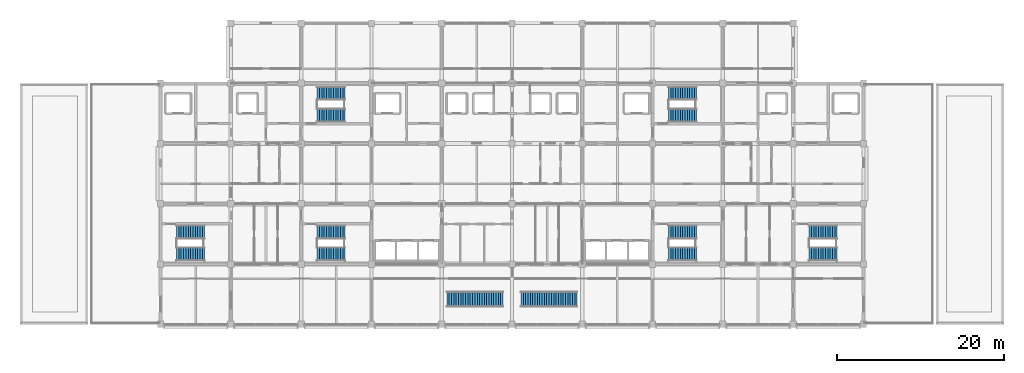
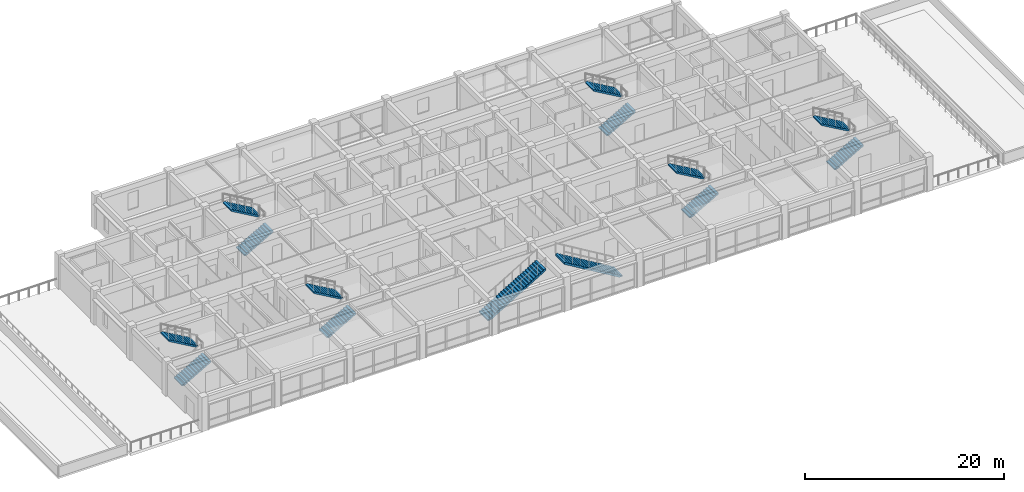
# One storey, part 24 of 27: 14 stair flights, 8 elements without a shape of their own.
"""IFC4 building model written with IfcOpenShell, lengths in metres."""

from ifc_helpers import new_model, si_unit, direction, frame, origin, place, context, subcontext, project, spatial, polyline, outline, extrude, material, type_object, element, aggregate, save


model = new_model("IFC4")

# Units and contexts
model_context = context("Model", 3, precision=1e-05, world=origin(), true_north=direction((0.0, 1.0)))
body_context = subcontext(model_context, "Body", "Model", "MODEL_VIEW")
ifc_project = project(units=[si_unit("LENGTHUNIT", "METRE"), si_unit("AREAUNIT", "SQUARE_METRE"), si_unit("VOLUMEUNIT", "CUBIC_METRE"), si_unit("PLANEANGLEUNIT", "RADIAN"), si_unit("MASSUNIT", "GRAM", prefix="KILO")], contexts=[model_context])

# Site, building, storey
site_placement = place(None, origin())
site = spatial("IfcSite", under=ifc_project, at=site_placement, CompositionType="ELEMENT")
building_placement = place(site_placement, origin())
building = spatial("IfcBuilding", under=site, at=building_placement, Name="Chengyuan Square Courthouse", CompositionType="ELEMENT")
storey_placement = place(building_placement, frame((0.0, 0.0, 35.10009765625)))
storey = spatial("IfcBuildingStorey", under=building, at=storey_placement, Name="L08", CompositionType="ELEMENT", Elevation=35.10009765625)

# Stair, stair flights
ifc_material = material(Name="Concrete C40", Category="concrete")
stair_type_1 = type_object("IfcStairType", Name="ST-TYPE-01", PredefinedType="HALF_TURN_STAIR", material=ifc_material)
stair_1_placement = place(storey_placement, origin())
stair_1 = element("IfcStair", 1, at=stair_1_placement, inside=storey, type_object=stair_type_1, Name="Smoke-Proof Exit Stair ST-1 (L08 to L09)", PredefinedType="HALF_TURN_STAIR")
stair_flight_type_1 = type_object("IfcStairFlightType", Name="STF-TYPE-01", PredefinedType="STRAIGHT", material=ifc_material)
stair_flight_1_placement = place(storey_placement, frame((60.7099609375, 104.175048828125, 0.0), z_axis=(0.0, 0.0, 1.0), x_axis=(1.0, 0.0, 0.0)))
stair_flight_1 = element("IfcStairFlight", 2, at=stair_flight_1_placement, type_object=stair_flight_type_1, Name="ST-1 flight 1", NumberOfRisers=13, NumberOfTreads=12, PredefinedType="STRAIGHT", RiserHeight=0.161538462, TreadLength=0.28, context=body_context, shape_type="SweptSolid", body=[
    extrude(outline(polyline([(0.0, 0.0), (0.0, 0.16162109375), (0.280029296875, 0.16162109375), (0.280029296875, 0.322998046875), (0.56005859375, 0.322998046875), (0.56005859375, 0.484619140625), (0.840087890625, 0.484619140625), (0.840087890625, 0.646240234375), (1.1201171875, 0.646240234375), (1.1201171875, 0.8076171875), (1.39990234375, 0.8076171875), (1.39990234375, 0.96923828125), (1.679931640625, 0.96923828125), (1.679931640625, 1.130859375), (1.9599609375, 1.130859375), (1.9599609375, 1.292236328125), (2.239990234375, 1.292236328125), (2.239990234375, 1.453857421875), (2.52001953125, 1.453857421875), (2.52001953125, 1.615478515625), (2.800048828125, 1.615478515625), (2.800048828125, 1.77685546875), (3.080078125, 1.77685546875), (3.080078125, 1.9384765625), (3.360107421875, 1.9384765625), (3.360107421875, 2.10009765625), (3.360107421875, 1.765380859375), (0.300048828125, 0.0), (0.0, 0.0)])), frame((0.0, 0.824951171875, 0.0), z_axis=(0.0, -1.0, 0.0), x_axis=(1.0, 0.0, 0.0)), (0.0, 0.0, 1.0), 1.64990234375),
])
stair_flight_2_placement = place(storey_placement, frame((64.070068359375, 106.824951171875, 2.099853515625), z_axis=(0.0, 0.0, 1.0), x_axis=(-1.0, 0.0, 0.0)))
stair_flight_2 = element("IfcStairFlight", 3, at=stair_flight_2_placement, type_object=stair_flight_type_1, Name="ST-1 flight 2", NumberOfRisers=13, NumberOfTreads=12, PredefinedType="STRAIGHT", RiserHeight=0.161538462, TreadLength=0.28, context=body_context, shape_type="SweptSolid", body=[
    extrude(outline(polyline([(0.0, 0.0), (0.0, 0.16162109375), (0.280029296875, 0.16162109375), (0.280029296875, 0.322998046875), (0.56005859375, 0.322998046875), (0.56005859375, 0.484619140625), (0.840087890625, 0.484619140625), (0.840087890625, 0.646240234375), (1.1201171875, 0.646240234375), (1.1201171875, 0.8076171875), (1.39990234375, 0.8076171875), (1.39990234375, 0.96923828125), (1.679931640625, 0.96923828125), (1.679931640625, 1.130859375), (1.9599609375, 1.130859375), (1.9599609375, 1.292236328125), (2.239990234375, 1.292236328125), (2.239990234375, 1.453857421875), (2.52001953125, 1.453857421875), (2.52001953125, 1.615478515625), (2.800048828125, 1.615478515625), (2.800048828125, 1.77685546875), (3.080078125, 1.77685546875), (3.080078125, 1.9384765625), (3.360107421875, 1.9384765625), (3.360107421875, 2.10009765625), (3.360107421875, 1.765380859375), (0.300048828125, 0.0), (0.0, 0.0)])), frame((0.0, 0.824951171875, 0.0), z_axis=(0.0, -1.0, 0.0), x_axis=(1.0, 0.0, 0.0)), (0.0, 0.0, 1.0), 1.64990234375),
])
aggregate(stair_1, [stair_flight_1, stair_flight_2])

stair_type_2 = type_object("IfcStairType", Name="ST-TYPE-02", PredefinedType="HALF_TURN_STAIR", material=ifc_material)
stair_2_placement = place(storey_placement, origin())
stair_2 = element("IfcStair", 4, at=stair_2_placement, inside=storey, type_object=stair_type_2, Name="Smoke-Proof Exit Stair ST-2 (L08 to L09)", PredefinedType="HALF_TURN_STAIR")
stair_flight_type_2 = type_object("IfcStairFlightType", Name="STF-TYPE-02", PredefinedType="STRAIGHT", material=ifc_material)
stair_flight_3_placement = place(storey_placement, frame((102.7099609375, 104.175048828125, 0.0), z_axis=(0.0, 0.0, 1.0), x_axis=(1.0, 0.0, 0.0)))
stair_flight_3 = element("IfcStairFlight", 5, at=stair_flight_3_placement, type_object=stair_flight_type_2, Name="ST-2 flight 1", NumberOfRisers=13, NumberOfTreads=12, PredefinedType="STRAIGHT", RiserHeight=0.161538462, TreadLength=0.28, context=body_context, shape_type="SweptSolid", body=[
    extrude(outline(polyline([(0.0, 0.0), (0.0, 0.16162109375), (0.280029296875, 0.16162109375), (0.280029296875, 0.322998046875), (0.56005859375, 0.322998046875), (0.56005859375, 0.484619140625), (0.840087890625, 0.484619140625), (0.840087890625, 0.646240234375), (1.1201171875, 0.646240234375), (1.1201171875, 0.8076171875), (1.39990234375, 0.8076171875), (1.39990234375, 0.96923828125), (1.679931640625, 0.96923828125), (1.679931640625, 1.130859375), (1.9599609375, 1.130859375), (1.9599609375, 1.292236328125), (2.239990234375, 1.292236328125), (2.239990234375, 1.453857421875), (2.52001953125, 1.453857421875), (2.52001953125, 1.615478515625), (2.800048828125, 1.615478515625), (2.800048828125, 1.77685546875), (3.080078125, 1.77685546875), (3.080078125, 1.9384765625), (3.360107421875, 1.9384765625), (3.360107421875, 2.10009765625), (3.360107421875, 1.765380859375), (0.300048828125, 0.0), (0.0, 0.0)])), frame((0.0, 0.824951171875, 0.0), z_axis=(0.0, -1.0, 0.0), x_axis=(1.0, 0.0, 0.0)), (0.0, 0.0, 1.0), 1.64990234375),
])
stair_flight_4_placement = place(storey_placement, frame((106.070068359375, 106.824951171875, 2.099853515625), z_axis=(0.0, 0.0, 1.0), x_axis=(-1.0, 0.0, 0.0)))
stair_flight_4 = element("IfcStairFlight", 6, at=stair_flight_4_placement, type_object=stair_flight_type_2, Name="ST-2 flight 2", NumberOfRisers=13, NumberOfTreads=12, PredefinedType="STRAIGHT", RiserHeight=0.161538462, TreadLength=0.28, context=body_context, shape_type="SweptSolid", body=[
    extrude(outline(polyline([(0.0, 0.0), (0.0, 0.16162109375), (0.280029296875, 0.16162109375), (0.280029296875, 0.322998046875), (0.56005859375, 0.322998046875), (0.56005859375, 0.484619140625), (0.840087890625, 0.484619140625), (0.840087890625, 0.646240234375), (1.1201171875, 0.646240234375), (1.1201171875, 0.8076171875), (1.39990234375, 0.8076171875), (1.39990234375, 0.96923828125), (1.679931640625, 0.96923828125), (1.679931640625, 1.130859375), (1.9599609375, 1.130859375), (1.9599609375, 1.292236328125), (2.239990234375, 1.292236328125), (2.239990234375, 1.453857421875), (2.52001953125, 1.453857421875), (2.52001953125, 1.615478515625), (2.800048828125, 1.615478515625), (2.800048828125, 1.77685546875), (3.080078125, 1.77685546875), (3.080078125, 1.9384765625), (3.360107421875, 1.9384765625), (3.360107421875, 2.10009765625), (3.360107421875, 1.765380859375), (0.300048828125, 0.0), (0.0, 0.0)])), frame((0.0, 0.824951171875, 0.0), z_axis=(0.0, -1.0, 0.0), x_axis=(1.0, 0.0, 0.0)), (0.0, 0.0, 1.0), 1.64990234375),
])
aggregate(stair_2, [stair_flight_3, stair_flight_4])

stair_type_3 = type_object("IfcStairType", Name="ST-TYPE-03", PredefinedType="HALF_TURN_STAIR", material=ifc_material)
stair_3_placement = place(storey_placement, origin())
stair_3 = element("IfcStair", 7, at=stair_3_placement, inside=storey, type_object=stair_type_3, Name="Smoke-Proof Exit Stair ST-3 (L08 to L09)", PredefinedType="HALF_TURN_STAIR")
stair_flight_type_3 = type_object("IfcStairFlightType", Name="STF-TYPE-03", PredefinedType="STRAIGHT", material=ifc_material)
stair_flight_5_placement = place(storey_placement, frame((60.7099609375, 87.574951171875, 0.0), z_axis=(0.0, 0.0, 1.0), x_axis=(1.0, 0.0, 0.0)))
stair_flight_5 = element("IfcStairFlight", 8, at=stair_flight_5_placement, type_object=stair_flight_type_3, Name="ST-3 flight 1", NumberOfRisers=13, NumberOfTreads=12, PredefinedType="STRAIGHT", RiserHeight=0.161538462, TreadLength=0.28, context=body_context, shape_type="SweptSolid", body=[
    extrude(outline(polyline([(0.0, 0.0), (0.0, 0.16162109375), (0.280029296875, 0.16162109375), (0.280029296875, 0.322998046875), (0.56005859375, 0.322998046875), (0.56005859375, 0.484619140625), (0.840087890625, 0.484619140625), (0.840087890625, 0.646240234375), (1.1201171875, 0.646240234375), (1.1201171875, 0.8076171875), (1.39990234375, 0.8076171875), (1.39990234375, 0.96923828125), (1.679931640625, 0.96923828125), (1.679931640625, 1.130859375), (1.9599609375, 1.130859375), (1.9599609375, 1.292236328125), (2.239990234375, 1.292236328125), (2.239990234375, 1.453857421875), (2.52001953125, 1.453857421875), (2.52001953125, 1.615478515625), (2.800048828125, 1.615478515625), (2.800048828125, 1.77685546875), (3.080078125, 1.77685546875), (3.080078125, 1.9384765625), (3.360107421875, 1.9384765625), (3.360107421875, 2.10009765625), (3.360107421875, 1.765380859375), (0.300048828125, 0.0), (0.0, 0.0)])), frame((0.0, 0.824951171875, 0.0), z_axis=(0.0, -1.0, 0.0), x_axis=(1.0, 0.0, 0.0)), (0.0, 0.0, 1.0), 1.64990234375),
])
stair_flight_6_placement = place(storey_placement, frame((64.070068359375, 90.22509765625, 2.099853515625), z_axis=(0.0, 0.0, 1.0), x_axis=(-1.0, 0.0, 0.0)))
stair_flight_6 = element("IfcStairFlight", 9, at=stair_flight_6_placement, type_object=stair_flight_type_3, Name="ST-3 flight 2", NumberOfRisers=13, NumberOfTreads=12, PredefinedType="STRAIGHT", RiserHeight=0.161538462, TreadLength=0.28, context=body_context, shape_type="SweptSolid", body=[
    extrude(outline(polyline([(0.0, 0.0), (0.0, 0.16162109375), (0.280029296875, 0.16162109375), (0.280029296875, 0.322998046875), (0.56005859375, 0.322998046875), (0.56005859375, 0.484619140625), (0.840087890625, 0.484619140625), (0.840087890625, 0.646240234375), (1.1201171875, 0.646240234375), (1.1201171875, 0.8076171875), (1.39990234375, 0.8076171875), (1.39990234375, 0.96923828125), (1.679931640625, 0.96923828125), (1.679931640625, 1.130859375), (1.9599609375, 1.130859375), (1.9599609375, 1.292236328125), (2.239990234375, 1.292236328125), (2.239990234375, 1.453857421875), (2.52001953125, 1.453857421875), (2.52001953125, 1.615478515625), (2.800048828125, 1.615478515625), (2.800048828125, 1.77685546875), (3.080078125, 1.77685546875), (3.080078125, 1.9384765625), (3.360107421875, 1.9384765625), (3.360107421875, 2.10009765625), (3.360107421875, 1.765380859375), (0.300048828125, 0.0), (0.0, 0.0)])), frame((0.0, 0.824951171875, 0.0), z_axis=(0.0, -1.0, 0.0), x_axis=(1.0, 0.0, 0.0)), (0.0, 0.0, 1.0), 1.64990234375),
])
aggregate(stair_3, [stair_flight_5, stair_flight_6])

stair_type_4 = type_object("IfcStairType", Name="ST-TYPE-04", PredefinedType="HALF_TURN_STAIR", material=ifc_material)
stair_4_placement = place(storey_placement, origin())
stair_4 = element("IfcStair", 10, at=stair_4_placement, inside=storey, type_object=stair_type_4, Name="Smoke-Proof Exit Stair ST-4 (L08 to L09)", PredefinedType="HALF_TURN_STAIR")
stair_flight_type_4 = type_object("IfcStairFlightType", Name="STF-TYPE-04", PredefinedType="STRAIGHT", material=ifc_material)
stair_flight_7_placement = place(storey_placement, frame((102.7099609375, 87.574951171875, 0.0), z_axis=(0.0, 0.0, 1.0), x_axis=(1.0, 0.0, 0.0)))
stair_flight_7 = element("IfcStairFlight", 11, at=stair_flight_7_placement, type_object=stair_flight_type_4, Name="ST-4 flight 1", NumberOfRisers=13, NumberOfTreads=12, PredefinedType="STRAIGHT", RiserHeight=0.161538462, TreadLength=0.28, context=body_context, shape_type="SweptSolid", body=[
    extrude(outline(polyline([(0.0, 0.0), (0.0, 0.16162109375), (0.280029296875, 0.16162109375), (0.280029296875, 0.322998046875), (0.56005859375, 0.322998046875), (0.56005859375, 0.484619140625), (0.840087890625, 0.484619140625), (0.840087890625, 0.646240234375), (1.1201171875, 0.646240234375), (1.1201171875, 0.8076171875), (1.39990234375, 0.8076171875), (1.39990234375, 0.96923828125), (1.679931640625, 0.96923828125), (1.679931640625, 1.130859375), (1.9599609375, 1.130859375), (1.9599609375, 1.292236328125), (2.239990234375, 1.292236328125), (2.239990234375, 1.453857421875), (2.52001953125, 1.453857421875), (2.52001953125, 1.615478515625), (2.800048828125, 1.615478515625), (2.800048828125, 1.77685546875), (3.080078125, 1.77685546875), (3.080078125, 1.9384765625), (3.360107421875, 1.9384765625), (3.360107421875, 2.10009765625), (3.360107421875, 1.765380859375), (0.300048828125, 0.0), (0.0, 0.0)])), frame((0.0, 0.824951171875, 0.0), z_axis=(0.0, -1.0, 0.0), x_axis=(1.0, 0.0, 0.0)), (0.0, 0.0, 1.0), 1.64990234375),
])
stair_flight_8_placement = place(storey_placement, frame((106.070068359375, 90.22509765625, 2.099853515625), z_axis=(0.0, 0.0, 1.0), x_axis=(-1.0, 0.0, 0.0)))
stair_flight_8 = element("IfcStairFlight", 12, at=stair_flight_8_placement, type_object=stair_flight_type_4, Name="ST-4 flight 2", NumberOfRisers=13, NumberOfTreads=12, PredefinedType="STRAIGHT", RiserHeight=0.161538462, TreadLength=0.28, context=body_context, shape_type="SweptSolid", body=[
    extrude(outline(polyline([(0.0, 0.0), (0.0, 0.16162109375), (0.280029296875, 0.16162109375), (0.280029296875, 0.322998046875), (0.56005859375, 0.322998046875), (0.56005859375, 0.484619140625), (0.840087890625, 0.484619140625), (0.840087890625, 0.646240234375), (1.1201171875, 0.646240234375), (1.1201171875, 0.8076171875), (1.39990234375, 0.8076171875), (1.39990234375, 0.96923828125), (1.679931640625, 0.96923828125), (1.679931640625, 1.130859375), (1.9599609375, 1.130859375), (1.9599609375, 1.292236328125), (2.239990234375, 1.292236328125), (2.239990234375, 1.453857421875), (2.52001953125, 1.453857421875), (2.52001953125, 1.615478515625), (2.800048828125, 1.615478515625), (2.800048828125, 1.77685546875), (3.080078125, 1.77685546875), (3.080078125, 1.9384765625), (3.360107421875, 1.9384765625), (3.360107421875, 2.10009765625), (3.360107421875, 1.765380859375), (0.300048828125, 0.0), (0.0, 0.0)])), frame((0.0, 0.824951171875, 0.0), z_axis=(0.0, -1.0, 0.0), x_axis=(1.0, 0.0, 0.0)), (0.0, 0.0, 1.0), 1.64990234375),
])
aggregate(stair_4, [stair_flight_7, stair_flight_8])

stair_type_5 = type_object("IfcStairType", Name="ST-TYPE-05", PredefinedType="HALF_TURN_STAIR", material=ifc_material)
stair_5_placement = place(storey_placement, origin())
stair_5 = element("IfcStair", 13, at=stair_5_placement, inside=storey, type_object=stair_type_5, Name="Smoke-Proof Exit Stair ST-5 (L08 to L09)", PredefinedType="HALF_TURN_STAIR")
stair_flight_type_5 = type_object("IfcStairFlightType", Name="STF-TYPE-05", PredefinedType="STRAIGHT", material=ifc_material)
stair_flight_9_placement = place(storey_placement, frame((43.909912109375, 87.574951171875, 0.0), z_axis=(0.0, 0.0, 1.0), x_axis=(1.0, 0.0, 0.0)))
stair_flight_9 = element("IfcStairFlight", 14, at=stair_flight_9_placement, type_object=stair_flight_type_5, Name="ST-5 flight 1", NumberOfRisers=13, NumberOfTreads=12, PredefinedType="STRAIGHT", RiserHeight=0.161538462, TreadLength=0.28, context=body_context, shape_type="SweptSolid", body=[
    extrude(outline(polyline([(0.0, 0.0), (0.0, 0.16162109375), (0.280029296875, 0.16162109375), (0.280029296875, 0.322998046875), (0.56005859375, 0.322998046875), (0.56005859375, 0.484619140625), (0.840087890625, 0.484619140625), (0.840087890625, 0.646240234375), (1.1201171875, 0.646240234375), (1.1201171875, 0.8076171875), (1.39990234375, 0.8076171875), (1.39990234375, 0.96923828125), (1.679931640625, 0.96923828125), (1.679931640625, 1.130859375), (1.9599609375, 1.130859375), (1.9599609375, 1.292236328125), (2.239990234375, 1.292236328125), (2.239990234375, 1.453857421875), (2.52001953125, 1.453857421875), (2.52001953125, 1.615478515625), (2.800048828125, 1.615478515625), (2.800048828125, 1.77685546875), (3.080078125, 1.77685546875), (3.080078125, 1.9384765625), (3.360107421875, 1.9384765625), (3.360107421875, 2.10009765625), (3.360107421875, 1.765380859375), (0.300048828125, 0.0), (0.0, 0.0)])), frame((0.0, 0.824951171875, 0.0), z_axis=(0.0, -1.0, 0.0), x_axis=(1.0, 0.0, 0.0)), (0.0, 0.0, 1.0), 1.64990234375),
])
stair_flight_10_placement = place(storey_placement, frame((47.27001953125, 90.22509765625, 2.099853515625), z_axis=(0.0, 0.0, 1.0), x_axis=(-1.0, 0.0, 0.0)))
stair_flight_10 = element("IfcStairFlight", 15, at=stair_flight_10_placement, type_object=stair_flight_type_5, Name="ST-5 flight 2", NumberOfRisers=13, NumberOfTreads=12, PredefinedType="STRAIGHT", RiserHeight=0.161538462, TreadLength=0.28, context=body_context, shape_type="SweptSolid", body=[
    extrude(outline(polyline([(0.0, 0.0), (0.0, 0.16162109375), (0.280029296875, 0.16162109375), (0.280029296875, 0.322998046875), (0.56005859375, 0.322998046875), (0.56005859375, 0.484619140625), (0.840087890625, 0.484619140625), (0.840087890625, 0.646240234375), (1.1201171875, 0.646240234375), (1.1201171875, 0.8076171875), (1.39990234375, 0.8076171875), (1.39990234375, 0.96923828125), (1.679931640625, 0.96923828125), (1.679931640625, 1.130859375), (1.9599609375, 1.130859375), (1.9599609375, 1.292236328125), (2.239990234375, 1.292236328125), (2.239990234375, 1.453857421875), (2.52001953125, 1.453857421875), (2.52001953125, 1.615478515625), (2.800048828125, 1.615478515625), (2.800048828125, 1.77685546875), (3.080078125, 1.77685546875), (3.080078125, 1.9384765625), (3.360107421875, 1.9384765625), (3.360107421875, 2.10009765625), (3.360107421875, 1.765380859375), (0.300048828125, 0.0), (0.0, 0.0)])), frame((0.0, 0.824951171875, 0.0), z_axis=(0.0, -1.0, 0.0), x_axis=(1.0, 0.0, 0.0)), (0.0, 0.0, 1.0), 1.64990234375),
])
aggregate(stair_5, [stair_flight_9, stair_flight_10])

stair_type_6 = type_object("IfcStairType", Name="ST-TYPE-06", PredefinedType="HALF_TURN_STAIR", material=ifc_material)
stair_6_placement = place(storey_placement, origin())
stair_6 = element("IfcStair", 16, at=stair_6_placement, inside=storey, type_object=stair_type_6, Name="Smoke-Proof Exit Stair ST-6 (L08 to L09)", PredefinedType="HALF_TURN_STAIR")
stair_flight_type_6 = type_object("IfcStairFlightType", Name="STF-TYPE-06", PredefinedType="STRAIGHT", material=ifc_material)
stair_flight_11_placement = place(storey_placement, frame((119.510009765625, 87.574951171875, 0.0), z_axis=(0.0, 0.0, 1.0), x_axis=(1.0, 0.0, 0.0)))
stair_flight_11 = element("IfcStairFlight", 17, at=stair_flight_11_placement, type_object=stair_flight_type_6, Name="ST-6 flight 1", NumberOfRisers=13, NumberOfTreads=12, PredefinedType="STRAIGHT", RiserHeight=0.161538462, TreadLength=0.28, context=body_context, shape_type="SweptSolid", body=[
    extrude(outline(polyline([(0.0, 0.0), (0.0, 0.16162109375), (0.280029296875, 0.16162109375), (0.280029296875, 0.322998046875), (0.56005859375, 0.322998046875), (0.56005859375, 0.484619140625), (0.840087890625, 0.484619140625), (0.840087890625, 0.646240234375), (1.1201171875, 0.646240234375), (1.1201171875, 0.8076171875), (1.39990234375, 0.8076171875), (1.39990234375, 0.96923828125), (1.679931640625, 0.96923828125), (1.679931640625, 1.130859375), (1.9599609375, 1.130859375), (1.9599609375, 1.292236328125), (2.239990234375, 1.292236328125), (2.239990234375, 1.453857421875), (2.52001953125, 1.453857421875), (2.52001953125, 1.615478515625), (2.800048828125, 1.615478515625), (2.800048828125, 1.77685546875), (3.080078125, 1.77685546875), (3.080078125, 1.9384765625), (3.360107421875, 1.9384765625), (3.360107421875, 2.10009765625), (3.360107421875, 1.765380859375), (0.300048828125, 0.0), (0.0, 0.0)])), frame((0.0, 0.824951171875, 0.0), z_axis=(0.0, -1.0, 0.0), x_axis=(1.0, 0.0, 0.0)), (0.0, 0.0, 1.0), 1.64990234375),
])
stair_flight_12_placement = place(storey_placement, frame((122.8701171875, 90.22509765625, 2.099853515625), z_axis=(0.0, 0.0, 1.0), x_axis=(-1.0, 0.0, 0.0)))
stair_flight_12 = element("IfcStairFlight", 18, at=stair_flight_12_placement, type_object=stair_flight_type_6, Name="ST-6 flight 2", NumberOfRisers=13, NumberOfTreads=12, PredefinedType="STRAIGHT", RiserHeight=0.161538462, TreadLength=0.28, context=body_context, shape_type="SweptSolid", body=[
    extrude(outline(polyline([(0.0, 0.0), (0.0, 0.16162109375), (0.280029296875, 0.16162109375), (0.280029296875, 0.322998046875), (0.56005859375, 0.322998046875), (0.56005859375, 0.484619140625), (0.840087890625, 0.484619140625), (0.840087890625, 0.646240234375), (1.1201171875, 0.646240234375), (1.1201171875, 0.8076171875), (1.39990234375, 0.8076171875), (1.39990234375, 0.96923828125), (1.679931640625, 0.96923828125), (1.679931640625, 1.130859375), (1.9599609375, 1.130859375), (1.9599609375, 1.292236328125), (2.239990234375, 1.292236328125), (2.239990234375, 1.453857421875), (2.52001953125, 1.453857421875), (2.52001953125, 1.615478515625), (2.800048828125, 1.615478515625), (2.800048828125, 1.77685546875), (3.080078125, 1.77685546875), (3.080078125, 1.9384765625), (3.360107421875, 1.9384765625), (3.360107421875, 2.10009765625), (3.360107421875, 1.765380859375), (0.300048828125, 0.0), (0.0, 0.0)])), frame((0.0, 0.824951171875, 0.0), z_axis=(0.0, -1.0, 0.0), x_axis=(1.0, 0.0, 0.0)), (0.0, 0.0, 1.0), 1.64990234375),
])
aggregate(stair_6, [stair_flight_11, stair_flight_12])

# Stair, stair flight
stair_type_7 = type_object("IfcStairType", Name="ST-TYPE-11", PredefinedType="STRAIGHT_RUN_STAIR", material=ifc_material)
stair_7_placement = place(storey_placement, origin())
stair_7 = element("IfcStair", 19, at=stair_7_placement, inside=storey, type_object=stair_type_7, Name="Feature Collegial Stair ST-11A", PredefinedType="STRAIGHT_RUN_STAIR")
stair_flight_type_7 = type_object("IfcStairFlightType", Name="STF-TYPE-11", PredefinedType="STRAIGHT", material=ifc_material)
stair_flight_13_placement = place(storey_placement, frame((76.2099609375, 82.199951171875, 0.0), z_axis=(0.0, 0.0, 1.0), x_axis=(1.0, 0.0, 0.0)))
stair_flight_13 = element("IfcStairFlight", 20, at=stair_flight_13_placement, type_object=stair_flight_type_7, Name="ST-11 flight 1", NumberOfRisers=25, NumberOfTreads=24, PredefinedType="STRAIGHT", RiserHeight=0.168, TreadLength=0.28, context=body_context, shape_type="SweptSolid", body=[
    extrude(outline(polyline([(0.0, 0.0), (0.0, 0.16796875), (0.280029296875, 0.16796875), (0.280029296875, 0.3359375), (0.56005859375, 0.3359375), (0.56005859375, 0.50390625), (0.840087890625, 0.50390625), (0.840087890625, 0.672119140625), (1.1201171875, 0.672119140625), (1.1201171875, 0.840087890625), (1.39990234375, 0.840087890625), (1.39990234375, 1.008056640625), (1.679931640625, 1.008056640625), (1.679931640625, 1.176025390625), (1.9599609375, 1.176025390625), (1.9599609375, 1.343994140625), (2.239990234375, 1.343994140625), (2.239990234375, 1.511962890625), (2.52001953125, 1.511962890625), (2.52001953125, 1.679931640625), (2.800048828125, 1.679931640625), (2.800048828125, 1.847900390625), (3.080078125, 1.847900390625), (3.080078125, 2.01611328125), (3.360107421875, 2.01611328125), (3.360107421875, 2.18408203125), (3.639892578125, 2.18408203125), (3.639892578125, 2.35205078125), (3.919921875, 2.35205078125), (3.919921875, 2.52001953125), (4.199951171875, 2.52001953125), (4.199951171875, 2.68798828125), (4.47998046875, 2.68798828125), (4.47998046875, 2.85595703125), (4.760009765625, 2.85595703125), (4.760009765625, 3.02392578125), (5.0400390625, 3.02392578125), (5.0400390625, 3.19189453125), (5.320068359375, 3.19189453125), (5.320068359375, 3.360107421875), (5.60009765625, 3.360107421875), (5.60009765625, 3.528076171875), (5.8798828125, 3.528076171875), (5.8798828125, 3.696044921875), (6.159912109375, 3.696044921875), (6.159912109375, 3.864013671875), (6.43994140625, 3.864013671875), (6.43994140625, 4.031982421875), (6.719970703125, 4.031982421875), (6.719970703125, 4.199951171875), (6.719970703125, 3.822265625), (0.349609375, 0.0), (0.0, 0.0)])), frame((0.0, 0.89990234375, 0.0), z_axis=(0.0, -1.0, 0.0), x_axis=(1.0, 0.0, 0.0)), (0.0, 0.0, 1.0), 1.800048828125),
])
aggregate(stair_7, [stair_flight_13])

stair_8_placement = place(storey_placement, origin())
stair_8 = element("IfcStair", 21, at=stair_8_placement, inside=storey, type_object=stair_type_7, Name="Feature Collegial Stair ST-11B", PredefinedType="STRAIGHT_RUN_STAIR")
stair_flight_14_placement = place(storey_placement, frame((91.7900390625, 82.199951171875, 0.0), z_axis=(0.0, 0.0, 1.0), x_axis=(-1.0, 0.0, 0.0)))
stair_flight_14 = element("IfcStairFlight", 22, at=stair_flight_14_placement, type_object=stair_flight_type_7, Name="ST-11 flight 1", NumberOfRisers=25, NumberOfTreads=24, PredefinedType="STRAIGHT", RiserHeight=0.168, TreadLength=0.28, context=body_context, shape_type="SweptSolid", body=[
    extrude(outline(polyline([(0.0, 0.0), (0.0, 0.16796875), (0.280029296875, 0.16796875), (0.280029296875, 0.3359375), (0.56005859375, 0.3359375), (0.56005859375, 0.50390625), (0.840087890625, 0.50390625), (0.840087890625, 0.672119140625), (1.1201171875, 0.672119140625), (1.1201171875, 0.840087890625), (1.39990234375, 0.840087890625), (1.39990234375, 1.008056640625), (1.679931640625, 1.008056640625), (1.679931640625, 1.176025390625), (1.9599609375, 1.176025390625), (1.9599609375, 1.343994140625), (2.239990234375, 1.343994140625), (2.239990234375, 1.511962890625), (2.52001953125, 1.511962890625), (2.52001953125, 1.679931640625), (2.800048828125, 1.679931640625), (2.800048828125, 1.847900390625), (3.080078125, 1.847900390625), (3.080078125, 2.01611328125), (3.360107421875, 2.01611328125), (3.360107421875, 2.18408203125), (3.639892578125, 2.18408203125), (3.639892578125, 2.35205078125), (3.919921875, 2.35205078125), (3.919921875, 2.52001953125), (4.199951171875, 2.52001953125), (4.199951171875, 2.68798828125), (4.47998046875, 2.68798828125), (4.47998046875, 2.85595703125), (4.760009765625, 2.85595703125), (4.760009765625, 3.02392578125), (5.0400390625, 3.02392578125), (5.0400390625, 3.19189453125), (5.320068359375, 3.19189453125), (5.320068359375, 3.360107421875), (5.60009765625, 3.360107421875), (5.60009765625, 3.528076171875), (5.8798828125, 3.528076171875), (5.8798828125, 3.696044921875), (6.159912109375, 3.696044921875), (6.159912109375, 3.864013671875), (6.43994140625, 3.864013671875), (6.43994140625, 4.031982421875), (6.719970703125, 4.031982421875), (6.719970703125, 4.199951171875), (6.719970703125, 3.822265625), (0.349609375, 0.0), (0.0, 0.0)])), frame((0.0, 0.89990234375, 0.0), z_axis=(0.0, -1.0, 0.0), x_axis=(1.0, 0.0, 0.0)), (0.0, 0.0, 1.0), 1.800048828125),
])
aggregate(stair_8, [stair_flight_14])

save(model, "model.ifc")
